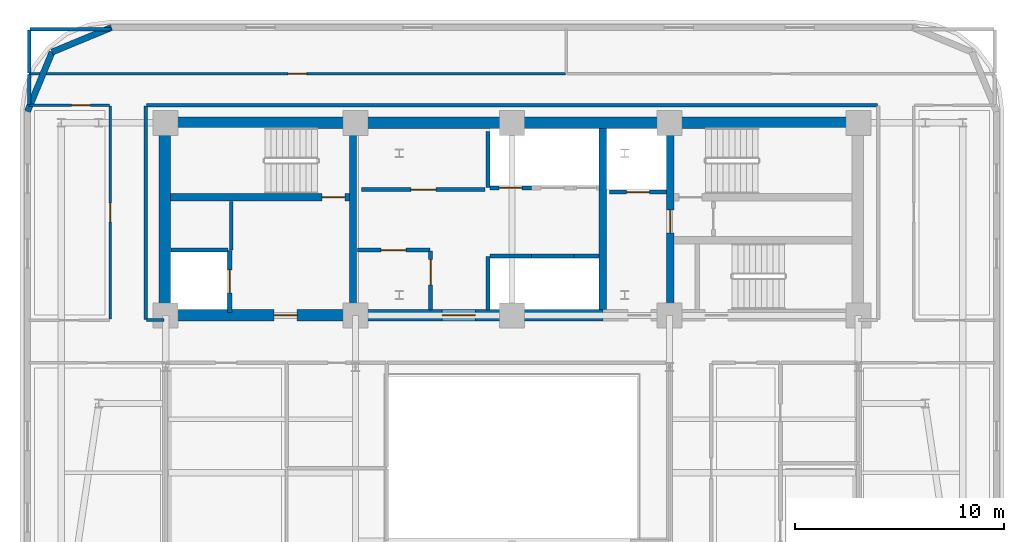
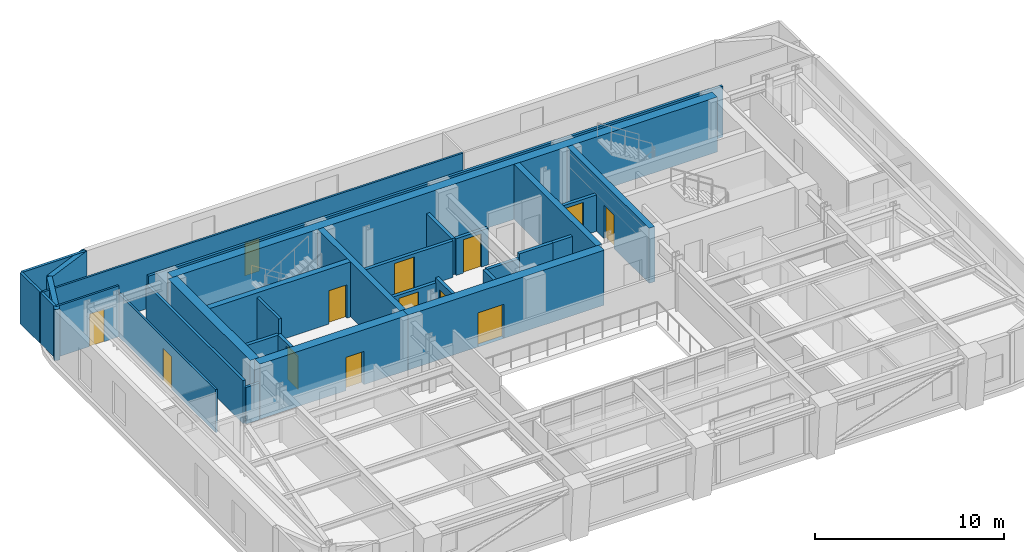
# One storey, part 7 of 13: 32 walls, 13 doors, 13 openings.
"""IFC4 building model written with IfcOpenShell, lengths in metres."""

from ifc_helpers import new_model, si_unit, direction, frame, frame_2d, origin, place, context, subcontext, project, spatial, rectangle, extrude, material, layer, layer_set, type_object, element, fill, save


model = new_model("IFC4")

# Units and contexts
model_context = context("Model", 3, precision=1e-05, world=origin(), true_north=direction((0.0, 1.0)))
body_context = subcontext(model_context, "Body", "Model", "MODEL_VIEW")
ifc_project = project(units=[si_unit("LENGTHUNIT", "METRE"), si_unit("AREAUNIT", "SQUARE_METRE"), si_unit("VOLUMEUNIT", "CUBIC_METRE"), si_unit("PLANEANGLEUNIT", "RADIAN"), si_unit("MASSUNIT", "GRAM", prefix="KILO")], contexts=[model_context])

# Site, building, storey
site_placement = place(None, origin())
site = spatial("IfcSite", under=ifc_project, at=site_placement, CompositionType="ELEMENT")
building_placement = place(site_placement, origin())
building = spatial("IfcBuilding", under=site, at=building_placement, Name="Zarnavel Station Tower", CompositionType="ELEMENT")
storey_placement = place(building_placement, frame((0.0, 0.0, 176.75)))
storey = spatial("IfcBuildingStorey", under=building, at=storey_placement, Name="L48", CompositionType="ELEMENT", Elevation=176.75)

# Walls
ifc_material_1 = material(Name="Concrete C50/60", Category="concrete")
ifc_layer_1 = layer(ifc_material_1, 0.35009765625)
ifc_layer_set_1 = layer_set([ifc_layer_1], Name="CW_350")
wall_type_1 = type_object("IfcWallType", Name="CW_350", PredefinedType="SHEAR", material=ifc_layer_set_1)
for number, where, z_axis, x_axis, name in (
    (1, (21.179931640625, 28.094970703125, 0.0), (0.0, 0.0, 1.0), (0.0, 1.0, 0.0), "L48 Rear Core Shear Wall DIV-W"),
    (2, (33.14990234375, 28.094970703125, 0.0), (0.0, 0.0, 1.0), (0.0, 1.0, 0.0), "L48 Rear Core Shear Wall DIV-E"),
):
    element("IfcWall", number, at=place(storey_placement, frame(where, z_axis=z_axis, x_axis=x_axis)), inside=storey, type_object=wall_type_1, Name=name, PredefinedType="SHEAR", context=body_context, shape_type="SweptSolid", body=[
        extrude(rectangle(XDim=8.679931640625, YDim=0.35009765625, at=frame_2d((4.33984375, 0.0))), origin(), (0.0, 0.0, 1.0), 3.550048828125),
    ])

# Wall, opening, door
wall_1_placement = place(storey_placement, frame((36.3798828125, 28.094970703125, 0.0), z_axis=(0.0, 0.0, 1.0), x_axis=(0.0, 1.0, 0.0)))
wall_1 = element("IfcWall", 3, at=wall_1_placement, inside=storey, type_object=wall_type_1, Name="L48 Rear Core Shear Wall DIV-S2", PredefinedType="SHEAR", context=body_context, shape_type="SweptSolid", body=[
    extrude(rectangle(XDim=8.679931640625, YDim=0.35009765625, at=frame_2d((4.33984375, 0.0))), origin(), (0.0, 0.0, 1.0), 3.550048828125),
])
opening_1_placement = place(wall_1_placement, frame((3.68505859375, 0.0, 0.0)))
opening_1 = element("IfcOpeningElement", 4, at=opening_1_placement, cuts=wall_1, Name="Opening FD01", PredefinedType="OPENING", context=body_context, shape_type="SweptSolid", body=[
    extrude(rectangle(XDim=1.10009765625, YDim=2.14990234375, at=frame_2d((0.550048828125, 1.074951171875))), frame((0.0, 0.18505859375, 0.0), z_axis=(0.0, -1.0, 0.0), x_axis=(1.0, 0.0, 0.0)), (0.0, 0.0, 1.0), 0.3701171875),
])
ifc_material_2 = material(Name="Painted Galvanised Steel and Hardwood Leaf", Category="steel")
door_type_1 = type_object("IfcDoorType", Name="ID_STAIR_1100", OperationType="NOTDEFINED", PredefinedType="DOOR", material=ifc_material_2)
door_1_placement = place(opening_1_placement, origin())
door_1 = element("IfcDoor", 5, at=door_1_placement, inside=storey, type_object=door_type_1, Name="L48 East Stair Vestibule Fire Door", OperationType="SINGLE_SWING_LEFT", OverallHeight=2.14990234375, OverallWidth=1.10009765625, PredefinedType="DOOR", context=body_context, shape_type="SweptSolid", body=[
    extrude(rectangle(XDim=1.10009765625, YDim=2.14990234375, at=frame_2d((0.550048828125, 1.074951171875))), frame((0.0, 0.02490234375, 0.0), z_axis=(0.0, -1.0, 0.0), x_axis=(1.0, 0.0, 0.0)), (0.0, 0.0, 1.0), 0.050048828125),
])
fill(opening_1, door_1)

wall_2_placement = place(storey_placement, frame((21.0048828125, 33.47998046875, 0.0), z_axis=(0.0, 0.0, 1.0), x_axis=(-1.0, 0.0, 0.0)))
wall_2 = element("IfcWall", 6, at=wall_2_placement, inside=storey, type_object=wall_type_1, Name="L48 Rear Core Shear Wall DIV-H1", PredefinedType="SHEAR", context=body_context, shape_type="SweptSolid", body=[
    extrude(rectangle(XDim=8.579833984375, YDim=0.35009765625, at=frame_2d((4.2900390625, 0.0))), origin(), (0.0, 0.0, 1.0), 3.550048828125),
])
opening_2_placement = place(wall_2_placement, frame((0.219970703125, 0.0, 0.0)))
opening_2 = element("IfcOpeningElement", 7, at=opening_2_placement, cuts=wall_2, Name="Opening FD01", PredefinedType="OPENING", context=body_context, shape_type="SweptSolid", body=[
    extrude(rectangle(XDim=1.10009765625, YDim=2.14990234375, at=frame_2d((0.550048828125, 1.074951171875))), frame((0.0, 0.18505859375, 0.0), z_axis=(0.0, -1.0, 0.0), x_axis=(1.0, 0.0, 0.0)), (0.0, 0.0, 1.0), 0.3701171875),
])
door_2_placement = place(opening_2_placement, origin())
door_2 = element("IfcDoor", 8, at=door_2_placement, inside=storey, type_object=door_type_1, Name="L48 Stair ST1 Lobby Fire Door", OperationType="SINGLE_SWING_LEFT", OverallHeight=2.14990234375, OverallWidth=1.10009765625, PredefinedType="DOOR", context=body_context, shape_type="SweptSolid", body=[
    extrude(rectangle(XDim=1.10009765625, YDim=2.14990234375, at=frame_2d((0.550048828125, 1.074951171875))), frame((0.0, 0.02490234375, 0.0), z_axis=(0.0, -1.0, 0.0), x_axis=(1.0, 0.0, 0.0)), (0.0, 0.0, 1.0), 0.050048828125),
])
fill(opening_2, door_2)

# Wall
ifc_material_3 = material(Name="Concrete C50/60", Category="concrete")
ifc_layer_2 = layer(ifc_material_3, 0.550048828125)
ifc_layer_set_2 = layer_set([ifc_layer_2], Name="CW_550")
wall_type_2 = type_object("IfcWallType", Name="CW_550", PredefinedType="SHEAR", material=ifc_layer_set_2)
wall_3_placement = place(storey_placement, frame((12.14990234375, 37.050048828125, 0.0), z_axis=(0.0, 0.0, 1.0), x_axis=(1.0, 0.0, 0.0)))
element("IfcWall", 9, at=wall_3_placement, inside=storey, type_object=wall_type_2, Name="L48 Rear Core Shear Wall N", PredefinedType="SHEAR", context=body_context, shape_type="SweptSolid", body=[
    extrude(rectangle(XDim=33.22998046875, YDim=0.550048828125, at=frame_2d((16.614990234375, 0.0))), origin(), (0.0, 0.0, 1.0), 3.550048828125),
])

# Wall, opening, door
wall_4_placement = place(storey_placement, frame((21.179931640625, 27.820068359375, 0.0), z_axis=(0.0, 0.0, 1.0), x_axis=(-1.0, 0.0, 0.0)))
wall_4 = element("IfcWall", 10, at=wall_4_placement, inside=storey, type_object=wall_type_2, Name="L48 Rear Core Shear Wall S-W", PredefinedType="SHEAR", context=body_context, shape_type="SweptSolid", body=[
    extrude(rectangle(XDim=9.030029296875, YDim=0.550048828125, at=frame_2d((4.51513671875, 0.0))), origin(), (0.0, 0.0, 1.0), 3.550048828125),
])
opening_3_placement = place(wall_4_placement, frame((2.679931640625, 0.0, 0.0)))
opening_3 = element("IfcOpeningElement", 11, at=opening_3_placement, cuts=wall_4, Name="Opening FD01", PredefinedType="OPENING", context=body_context, shape_type="SweptSolid", body=[
    extrude(rectangle(XDim=1.10009765625, YDim=2.14990234375, at=frame_2d((0.550048828125, 1.074951171875))), frame((0.0, 0.284912109375, 0.0), z_axis=(0.0, -1.0, 0.0), x_axis=(1.0, 0.0, 0.0)), (0.0, 0.0, 1.0), 0.570068359375),
])
door_3_placement = place(opening_3_placement, origin())
door_3 = element("IfcDoor", 12, at=door_3_placement, inside=storey, type_object=door_type_1, Name="L48 West Firefighting Lobby Door", OperationType="SINGLE_SWING_RIGHT", OverallHeight=2.14990234375, OverallWidth=1.10009765625, PredefinedType="DOOR", context=body_context, shape_type="SweptSolid", body=[
    extrude(rectangle(XDim=1.10009765625, YDim=2.14990234375, at=frame_2d((0.550048828125, 1.074951171875))), frame((0.0, 0.02490234375, 0.0), z_axis=(0.0, -1.0, 0.0), x_axis=(1.0, 0.0, 0.0)), (0.0, 0.0, 1.0), 0.050048828125),
])
fill(opening_3, door_3)

wall_5_placement = place(storey_placement, frame((33.14990234375, 27.820068359375, 0.0), z_axis=(0.0, 0.0, 1.0), x_axis=(-1.0, 0.0, 0.0)))
wall_5 = element("IfcWall", 13, at=wall_5_placement, inside=storey, type_object=wall_type_2, Name="L48 Rear Core Shear Wall S-M", PredefinedType="SHEAR", context=body_context, shape_type="SweptSolid", body=[
    extrude(rectangle(XDim=11.969970703125, YDim=0.550048828125, at=frame_2d((5.98486328125, 0.0))), origin(), (0.0, 0.0, 1.0), 3.550048828125),
])
opening_4_placement = place(wall_5_placement, frame((6.10009765625, 0.0, 0.0)))
opening_4 = element("IfcOpeningElement", 14, at=opening_4_placement, cuts=wall_5, Name="Opening ID03", PredefinedType="OPENING", context=body_context, shape_type="SweptSolid", body=[
    extrude(rectangle(XDim=1.60009765625, YDim=2.199951171875, at=frame_2d((0.800048828125, 1.10009765625))), frame((0.0, 0.284912109375, 0.0), z_axis=(0.0, -1.0, 0.0), x_axis=(1.0, 0.0, 0.0)), (0.0, 0.0, 1.0), 0.570068359375),
])
ifc_material_4 = material(Name="Painted Galvanised Steel and Hardwood Leaf", Category="steel")
door_type_2 = type_object("IfcDoorType", Name="ID_PUBLIC_1600", OperationType="DOUBLE_DOOR_SINGLE_SWING", PredefinedType="DOOR", material=ifc_material_4)
door_4_placement = place(opening_4_placement, origin())
door_4 = element("IfcDoor", 15, at=door_4_placement, inside=storey, type_object=door_type_2, Name="L48 Passenger Lift Lobby Double Door", OperationType="SINGLE_SWING_LEFT", OverallHeight=2.199951171875, OverallWidth=1.60009765625, PredefinedType="DOOR", context=body_context, shape_type="SweptSolid", body=[
    extrude(rectangle(XDim=1.60009765625, YDim=2.199951171875, at=frame_2d((0.800048828125, 1.10009765625))), frame((0.0, 0.02490234375, 0.0), z_axis=(0.0, -1.0, 0.0), x_axis=(1.0, 0.0, 0.0)), (0.0, 0.0, 1.0), 0.050048828125),
])
fill(opening_4, door_4)

# Walls
wall_6_placement = place(storey_placement, frame((12.14990234375, 28.094970703125, 0.0), z_axis=(0.0, 0.0, 1.0), x_axis=(0.0, 1.0, 0.0)))
element("IfcWall", 16, at=wall_6_placement, inside=storey, type_object=wall_type_2, Name="L48 Rear Core Shear Wall W", PredefinedType="SHEAR", context=body_context, shape_type="SweptSolid", body=[
    extrude(rectangle(XDim=8.679931640625, YDim=0.550048828125, at=frame_2d((4.33984375, 0.0))), origin(), (0.0, 0.0, 1.0), 3.550048828125),
])
ifc_material_5 = material(Name="Precast concrete C45/55 (Dark Basalt Finish)", Category="masonry")
ifc_layer_3 = layer(ifc_material_5, 0.300048828125)
ifc_layer_set_3 = layer_set([ifc_layer_3], Name="EW_BASALT_300")
wall_type_3 = type_object("IfcWallType", Name="EW_BASALT_300", PredefinedType="SOLIDWALL", material=ifc_layer_set_3)
wall_7_placement = place(storey_placement, frame((6.75732421875, 40.442626953125, 0.0), z_axis=(0.0, 0.0, 1.0), x_axis=(0.923882414032, 0.382676475685, 0.0)))
element("IfcWall", 17, at=wall_7_placement, inside=storey, type_object=wall_type_3, Name="L48 Exterior Basalt Masonry Frame Wall 07", PredefinedType="SOLIDWALL", context=body_context, shape_type="SweptSolid", body=[
    extrude(rectangle(XDim=3.076904296875, YDim=0.300048828125, at=frame_2d((1.53857421875, 0.0))), origin(), (0.0, 0.0, 1.0), 3.2900390625),
])
wall_8_placement = place(storey_placement, frame((5.580078125, 37.60009765625, 0.0), z_axis=(0.0, 0.0, 1.0), x_axis=(0.382636798336, 0.92389884758, 0.0)))
element("IfcWall", 18, at=wall_8_placement, inside=storey, type_object=wall_type_3, Name="L48 Exterior Basalt Masonry Frame Wall 08", PredefinedType="SOLIDWALL", context=body_context, shape_type="SweptSolid", body=[
    extrude(rectangle(XDim=3.07666015625, YDim=0.300048828125, at=frame_2d((1.538330078125, 0.0))), origin(), (0.0, 0.0, 1.0), 3.2900390625),
])
ifc_material_6 = material(Name="Gypsum Twin-Stud Acoustic Fire Partition", Category="concrete")
ifc_layer_4 = layer(ifc_material_6, 0.159912109375)
ifc_layer_set_4 = layer_set([ifc_layer_4], Name="PT_DEMISE_160")
wall_type_4 = type_object("IfcWallType", Name="PT_DEMISE_160", PredefinedType="PARTITIONING", material=ifc_layer_set_4)
wall_9_placement = place(storey_placement, frame((15.35009765625, 30.9599609375, 0.0), z_axis=(0.0, 0.0, 1.0), x_axis=(0.0, 1.0, 0.0)))
element("IfcWall", 19, at=wall_9_placement, inside=storey, type_object=wall_type_4, Name="L48 Enclosure Wall FFL1", PredefinedType="PARTITIONING", context=body_context, shape_type="SweptSolid", body=[
    extrude(rectangle(XDim=2.31005859375, YDim=0.159912109375, at=frame_2d((1.155029296875, 0.0))), origin(), (0.0, 0.0, 1.0), 3.2900390625),
])
wall_10_placement = place(storey_placement, frame((11.280029296875, 27.60009765625, 0.0), z_axis=(0.0, 0.0, 1.0), x_axis=(1.0, 0.0, 0.0)))
element("IfcWall", 20, at=wall_10_placement, inside=storey, type_object=wall_type_4, Name="L48 Enclosure Wall COR-S", PredefinedType="PARTITIONING", context=body_context, shape_type="SweptSolid", body=[
    extrude(rectangle(XDim=0.840087890625, YDim=0.159912109375, at=frame_2d((0.419921875, 0.0))), origin(), (0.0, 0.0, 1.0), 2.360107421875),
])
wall_11_placement = place(storey_placement, frame((11.25, 27.6298828125, 0.0), z_axis=(0.0, 0.0, 1.0), x_axis=(0.0, 1.0, 0.0)))
element("IfcWall", 21, at=wall_11_placement, inside=storey, type_object=wall_type_4, Name="L48 Enclosure Wall COR-W", PredefinedType="PARTITIONING", context=body_context, shape_type="SweptSolid", body=[
    extrude(rectangle(XDim=10.240234375, YDim=0.159912109375, at=frame_2d((5.1201171875, 0.0))), origin(), (0.0, 0.0, 1.0), 2.77001953125),
])
wall_12_placement = place(storey_placement, frame((11.280029296875, 37.89990234375, 0.0), z_axis=(0.0, 0.0, 1.0), x_axis=(1.0, 0.0, 0.0)))
element("IfcWall", 22, at=wall_12_placement, inside=storey, type_object=wall_type_4, Name="L48 Enclosure Wall COR-N", PredefinedType="PARTITIONING", context=body_context, shape_type="SweptSolid", body=[
    extrude(rectangle(XDim=35.0400390625, YDim=0.159912109375, at=frame_2d((17.52001953125, 0.0))), origin(), (0.0, 0.0, 1.0), 3.2900390625),
])
wall_13_placement = place(storey_placement, frame((5.659912109375, 37.929931640625, 0.0), z_axis=(0.0, 0.0, 1.0), x_axis=(0.0, 1.0, 0.0)))
element("IfcWall", 23, at=wall_13_placement, inside=storey, type_object=wall_type_4, Name="L48 Enclosure Wall COR-N", PredefinedType="PARTITIONING", context=body_context, shape_type="SweptSolid", body=[
    extrude(rectangle(XDim=1.440185546875, YDim=0.159912109375, at=frame_2d((0.72021484375, 0.0))), origin(), (0.0, 0.0, 1.0), 3.2900390625),
])
wall_14_placement = place(storey_placement, frame((5.68994140625, 41.5400390625, 0.0), z_axis=(0.0, 0.0, 1.0), x_axis=(1.0, 0.0, 0.0)))
element("IfcWall", 24, at=wall_14_placement, inside=storey, type_object=wall_type_4, Name="L48 Enclosure Wall NGYM", PredefinedType="PARTITIONING", context=body_context, shape_type="SweptSolid", body=[
    extrude(rectangle(XDim=3.880126953125, YDim=0.159912109375, at=frame_2d((1.93994140625, 0.0))), origin(), (0.0, 0.0, 1.0), 3.2900390625),
])
wall_15_placement = place(storey_placement, frame((5.659912109375, 39.429931640625, 0.0), z_axis=(0.0, 0.0, 1.0), x_axis=(0.0, 1.0, 0.0)))
element("IfcWall", 25, at=wall_15_placement, inside=storey, type_object=wall_type_4, Name="L48 Enclosure Wall NGYM", PredefinedType="PARTITIONING", context=body_context, shape_type="SweptSolid", body=[
    extrude(rectangle(XDim=2.080078125, YDim=0.159912109375, at=frame_2d((1.0400390625, 0.0))), origin(), (0.0, 0.0, 1.0), 3.2900390625),
])

# Wall, opening, door
ifc_material_7 = material(Name="Gypsum Metal-Stud Interior Partition", Category="concrete")
ifc_layer_5 = layer(ifc_material_7, 0.1201171875)
ifc_layer_set_5 = layer_set([ifc_layer_5], Name="PT_ROOM_120")
wall_type_5 = type_object("IfcWallType", Name="PT_ROOM_120", PredefinedType="PARTITIONING", material=ifc_layer_set_5)
wall_16_placement = place(storey_placement, frame((9.550048828125, 27.639892578125, 0.0), z_axis=(0.0, 0.0, 1.0), x_axis=(0.0, 1.0, 0.0)))
wall_16 = element("IfcWall", 26, at=wall_16_placement, inside=storey, type_object=wall_type_5, Name="L48 Partition COR-W-FNW", PredefinedType="PARTITIONING", context=body_context, shape_type="SweptSolid", body=[
    extrude(rectangle(XDim=10.22021484375, YDim=0.1201171875, at=frame_2d((5.110107421875, 0.0))), origin(), (0.0, 0.0, 1.0), 2.77001953125),
])
opening_5_placement = place(wall_16_placement, frame((4.659912109375, 0.0, 0.0)))
opening_5 = element("IfcOpeningElement", 27, at=opening_5_placement, cuts=wall_16, Name="Opening ID01", PredefinedType="OPENING", context=body_context, shape_type="SweptSolid", body=[
    extrude(rectangle(XDim=0.89990234375, YDim=2.10009765625, at=frame_2d((0.449951171875, 1.050048828125))), frame((0.0, 0.070068359375, 0.0), z_axis=(0.0, -1.0, 0.0), x_axis=(1.0, 0.0, 0.0)), (0.0, 0.0, 1.0), 0.14013671875),
])
ifc_material_8 = material(Name="Painted Galvanised Steel and Hardwood Leaf", Category="steel")
door_type_3 = type_object("IfcDoorType", Name="ID_ROOM_900", OperationType="NOTDEFINED", PredefinedType="DOOR", material=ifc_material_8)
door_5_placement = place(opening_5_placement, origin())
door_5 = element("IfcDoor", 28, at=door_5_placement, inside=storey, type_object=door_type_3, Name="L48 Door COR-W-FNW", OperationType="SINGLE_SWING_LEFT", OverallHeight=2.10009765625, OverallWidth=0.89990234375, PredefinedType="DOOR", context=body_context, shape_type="SweptSolid", body=[
    extrude(rectangle(XDim=0.89990234375, YDim=2.10009765625, at=frame_2d((0.449951171875, 1.050048828125))), frame((0.0, 0.02490234375, 0.0), z_axis=(0.0, -1.0, 0.0), x_axis=(1.0, 0.0, 0.0)), (0.0, 0.0, 1.0), 0.050048828125),
])
fill(opening_5, door_5)

wall_17_placement = place(storey_placement, frame((5.659912109375, 37.89990234375, 0.0), z_axis=(0.0, 0.0, 1.0), x_axis=(1.0, 0.0, 0.0)))
wall_17 = element("IfcWall", 29, at=wall_17_placement, inside=storey, type_object=wall_type_5, Name="L48 Partition COR-N-FNW", PredefinedType="PARTITIONING", context=body_context, shape_type="SweptSolid", body=[
    extrude(rectangle(XDim=3.85009765625, YDim=0.1201171875, at=frame_2d((1.925048828125, 0.0))), origin(), (0.0, 0.0, 1.0), 3.2900390625),
])
opening_6_placement = place(wall_17_placement, frame((2.03125, 0.0, 0.0)))
opening_6 = element("IfcOpeningElement", 30, at=opening_6_placement, cuts=wall_17, Name="Opening ID01", PredefinedType="OPENING", context=body_context, shape_type="SweptSolid", body=[
    extrude(rectangle(XDim=0.89990234375, YDim=2.10009765625, at=frame_2d((0.449951171875, 1.050048828125))), frame((0.0, 0.070068359375, 0.0), z_axis=(0.0, -1.0, 0.0), x_axis=(1.0, 0.0, 0.0)), (0.0, 0.0, 1.0), 0.14013671875),
])
door_6_placement = place(opening_6_placement, origin())
door_6 = element("IfcDoor", 31, at=door_6_placement, inside=storey, type_object=door_type_3, Name="L48 Door COR-N-FNW", OperationType="SINGLE_SWING_LEFT", OverallHeight=2.10009765625, OverallWidth=0.89990234375, PredefinedType="DOOR", context=body_context, shape_type="SweptSolid", body=[
    extrude(rectangle(XDim=0.89990234375, YDim=2.10009765625, at=frame_2d((0.449951171875, 1.050048828125))), frame((0.0, 0.02490234375, 0.0), z_axis=(0.0, -1.0, 0.0), x_axis=(1.0, 0.0, 0.0)), (0.0, 0.0, 1.0), 0.050048828125),
])
fill(opening_6, door_6)

wall_18_placement = place(storey_placement, frame((5.659912109375, 39.39990234375, 0.0), z_axis=(0.0, 0.0, 1.0), x_axis=(1.0, 0.0, 0.0)))
wall_18 = element("IfcWall", 32, at=wall_18_placement, inside=storey, type_object=wall_type_5, Name="L48 Partition COR-N-NGYM", PredefinedType="PARTITIONING", context=body_context, shape_type="SweptSolid", body=[
    extrude(rectangle(XDim=25.7001953125, YDim=0.1201171875, at=frame_2d((12.85009765625, 0.0))), origin(), (0.0, 0.0, 1.0), 3.2900390625),
])
opening_7_placement = place(wall_18_placement, frame((12.39990234375, 0.0, 0.0)))
opening_7 = element("IfcOpeningElement", 33, at=opening_7_placement, cuts=wall_18, Name="Opening ID01", PredefinedType="OPENING", context=body_context, shape_type="SweptSolid", body=[
    extrude(rectangle(XDim=0.89990234375, YDim=2.10009765625, at=frame_2d((0.449951171875, 1.050048828125))), frame((0.0, 0.070068359375, 0.0), z_axis=(0.0, -1.0, 0.0), x_axis=(1.0, 0.0, 0.0)), (0.0, 0.0, 1.0), 0.14013671875),
])
door_7_placement = place(opening_7_placement, origin())
door_7 = element("IfcDoor", 34, at=door_7_placement, inside=storey, type_object=door_type_3, Name="L48 Door COR-N-NGYM", OperationType="SINGLE_SWING_LEFT", OverallHeight=2.10009765625, OverallWidth=0.89990234375, PredefinedType="DOOR", context=body_context, shape_type="SweptSolid", body=[
    extrude(rectangle(XDim=0.89990234375, YDim=2.10009765625, at=frame_2d((0.449951171875, 1.050048828125))), frame((0.0, 0.02490234375, 0.0), z_axis=(0.0, -1.0, 0.0), x_axis=(1.0, 0.0, 0.0)), (0.0, 0.0, 1.0), 0.050048828125),
])
fill(opening_7, door_7)

ifc_material_9 = material(Name="Precast concrete C45/55 (Fire Shaft Blockwork)", Category="masonry")
ifc_layer_6 = layer(ifc_material_9, 0.199951171875)
ifc_layer_set_6 = layer_set([ifc_layer_6], Name="PT_SHAFT_200")
wall_type_6 = type_object("IfcWallType", Name="PT_SHAFT_200", PredefinedType="PARTITIONING", material=ifc_layer_set_6)
wall_19_placement = place(storey_placement, frame((15.27001953125, 27.969970703125, 0.0), z_axis=(0.0, 0.0, 1.0), x_axis=(0.0, 1.0, 0.0)))
wall_19 = element("IfcWall", 35, at=wall_19_placement, inside=storey, type_object=wall_type_6, Name="L48 Lift FFL-01 Shaft Front Wall", PredefinedType="PARTITIONING", context=body_context, shape_type="SweptSolid", body=[
    extrude(rectangle(XDim=2.9599609375, YDim=0.199951171875, at=frame_2d((1.47998046875, 0.0))), origin(), (0.0, 0.0, 1.0), 2.360107421875),
])
opening_8_placement = place(wall_19_placement, frame((0.929931640625, 0.0, 0.0)))
opening_8 = element("IfcOpeningElement", 36, at=opening_8_placement, cuts=wall_19, Name="Opening LD01", PredefinedType="OPENING", context=body_context, shape_type="SweptSolid", body=[
    extrude(rectangle(XDim=1.10009765625, YDim=2.14990234375, at=frame_2d((0.550048828125, 1.074951171875))), frame((0.0, 0.10986328125, 0.0), z_axis=(0.0, -1.0, 0.0), x_axis=(1.0, 0.0, 0.0)), (0.0, 0.0, 1.0), 0.219970703125),
])
ifc_material_10 = material(Name="Painted Galvanised Steel and Hardwood Leaf", Category="steel")
door_type_4 = type_object("IfcDoorType", Name="LD_FF_1100", OperationType="DOUBLE_DOOR_SLIDING", PredefinedType="DOOR", material=ifc_material_10)
door_8_placement = place(opening_8_placement, origin())
door_8 = element("IfcDoor", 37, at=door_8_placement, inside=storey, type_object=door_type_4, Name="L48 Lift FFL-01 Sliding Landing Door", OperationType="DOUBLE_DOOR_SLIDING", OverallHeight=2.14990234375, OverallWidth=1.10009765625, PredefinedType="DOOR", context=body_context, shape_type="SweptSolid", body=[
    extrude(rectangle(XDim=1.10009765625, YDim=2.14990234375, at=frame_2d((0.550048828125, 1.074951171875))), frame((0.0, 0.02490234375, 0.0), z_axis=(0.0, -1.0, 0.0), x_axis=(1.0, 0.0, 0.0)), (0.0, 0.0, 1.0), 0.050048828125),
])
fill(opening_8, door_8)

# Wall
wall_20_placement = place(storey_placement, frame((12.449951171875, 30.949951171875, 0.0), z_axis=(0.0, 0.0, 1.0), x_axis=(1.0, 0.0, 0.0)))
element("IfcWall", 38, at=wall_20_placement, inside=storey, type_object=wall_type_6, Name="L48 Lift FFL-01 North Shaft Wall", PredefinedType="PARTITIONING", context=body_context, shape_type="SweptSolid", body=[
    extrude(rectangle(XDim=2.75, YDim=0.199951171875, at=frame_2d((1.375, 0.0))), origin(), (0.0, 0.0, 1.0), 2.360107421875),
])

# Wall, opening, door
wall_21_placement = place(storey_placement, frame((33.47509765625, 33.72998046875, 0.0), z_axis=(0.0, 0.0, 1.0), x_axis=(1.0, 0.0, 0.0)))
wall_21 = element("IfcWall", 39, at=wall_21_placement, inside=storey, type_object=wall_type_6, Name="L48 Lift FFL-02 Shaft Front Wall", PredefinedType="PARTITIONING", context=body_context, shape_type="SweptSolid", body=[
    extrude(rectangle(XDim=2.724853515625, YDim=0.199951171875, at=frame_2d((1.3623046875, 0.0))), origin(), (0.0, 0.0, 1.0), 2.360107421875),
])
opening_9_placement = place(wall_21_placement, frame((0.8125, 0.0, 0.0)))
opening_9 = element("IfcOpeningElement", 40, at=opening_9_placement, cuts=wall_21, Name="Opening LD01", PredefinedType="OPENING", context=body_context, shape_type="SweptSolid", body=[
    extrude(rectangle(XDim=1.10009765625, YDim=2.14990234375, at=frame_2d((0.550048828125, 1.074951171875))), frame((0.0, 0.10986328125, 0.0), z_axis=(0.0, -1.0, 0.0), x_axis=(1.0, 0.0, 0.0)), (0.0, 0.0, 1.0), 0.219970703125),
])
door_9_placement = place(opening_9_placement, origin())
door_9 = element("IfcDoor", 41, at=door_9_placement, inside=storey, type_object=door_type_4, Name="L48 Lift FFL-02 Sliding Landing Door", OperationType="DOUBLE_DOOR_SLIDING", OverallHeight=2.14990234375, OverallWidth=1.10009765625, PredefinedType="DOOR", context=body_context, shape_type="SweptSolid", body=[
    extrude(rectangle(XDim=1.10009765625, YDim=2.14990234375, at=frame_2d((0.550048828125, 1.074951171875))), frame((0.0, 0.02490234375, 0.0), z_axis=(0.0, -1.0, 0.0), x_axis=(1.0, 0.0, 0.0)), (0.0, 0.0, 1.0), 0.050048828125),
])
fill(opening_9, door_9)

# Walls
wall_22_placement = place(storey_placement, frame((27.75, 30.669921875, 0.0), z_axis=(0.0, 0.0, 1.0), x_axis=(1.0, 0.0, 0.0)))
element("IfcWall", 42, at=wall_22_placement, inside=storey, type_object=wall_type_6, Name="L48 Lift PL-H1 Shaft Front Wall", PredefinedType="PARTITIONING", context=body_context, shape_type="SweptSolid", body=[
    extrude(rectangle(XDim=1.97509765625, YDim=0.199951171875, at=frame_2d((0.987548828125, 0.0))), origin(), (0.0, 0.0, 1.0), 2.360107421875),
])
wall_23_placement = place(storey_placement, frame((27.64990234375, 28.070068359375, 0.0), z_axis=(0.0, 0.0, 1.0), x_axis=(0.0, 1.0, 0.0)))
element("IfcWall", 43, at=wall_23_placement, inside=storey, type_object=wall_type_6, Name="L48 High-Rise Lift Bank West Shaft Wall", PredefinedType="PARTITIONING", context=body_context, shape_type="SweptSolid", body=[
    extrude(rectangle(XDim=2.579833984375, YDim=0.199951171875, at=frame_2d((1.2900390625, 0.0))), origin(), (0.0, 0.0, 1.0), 2.360107421875),
])
wall_24_placement = place(storey_placement, frame((29.72509765625, 30.669921875, 0.0), z_axis=(0.0, 0.0, 1.0), x_axis=(1.0, 0.0, 0.0)))
element("IfcWall", 44, at=wall_24_placement, inside=storey, type_object=wall_type_6, Name="L48 Lift PL-H2 Shaft Front Wall", PredefinedType="PARTITIONING", context=body_context, shape_type="SweptSolid", body=[
    extrude(rectangle(XDim=2.0498046875, YDim=0.199951171875, at=frame_2d((1.02490234375, 0.0))), origin(), (0.0, 0.0, 1.0), 2.669921875),
])
wall_25_placement = place(storey_placement, frame((31.77490234375, 30.669921875, 0.0), z_axis=(0.0, 0.0, 1.0), x_axis=(1.0, 0.0, 0.0)))
element("IfcWall", 45, at=wall_25_placement, inside=storey, type_object=wall_type_6, Name="L48 Lift PL-H3 Shaft Front Wall", PredefinedType="PARTITIONING", context=body_context, shape_type="SweptSolid", body=[
    extrude(rectangle(XDim=1.2001953125, YDim=0.199951171875, at=frame_2d((0.60009765625, 0.0))), origin(), (0.0, 0.0, 1.0), 2.669921875),
])

# Wall, opening, door
wall_26_placement = place(storey_placement, frame((27.75, 33.929931640625, 0.0), z_axis=(0.0, 0.0, 1.0), x_axis=(1.0, 0.0, 0.0)))
wall_26 = element("IfcWall", 46, at=wall_26_placement, inside=storey, type_object=wall_type_6, Name="L48 Lift PL-M1 Shaft Front Wall", PredefinedType="PARTITIONING", context=body_context, shape_type="SweptSolid", body=[
    extrude(rectangle(XDim=1.97509765625, YDim=0.199951171875, at=frame_2d((0.987548828125, 0.0))), origin(), (0.0, 0.0, 1.0), 2.360107421875),
])
opening_10_placement = place(wall_26_placement, frame((0.4375, 0.0, 0.0)))
opening_10 = element("IfcOpeningElement", 47, at=opening_10_placement, cuts=wall_26, Name="Opening LD02", PredefinedType="OPENING", context=body_context, shape_type="SweptSolid", body=[
    extrude(rectangle(XDim=1.10009765625, YDim=2.14990234375, at=frame_2d((0.550048828125, 1.074951171875))), frame((0.0, 0.10986328125, 0.0), z_axis=(0.0, -1.0, 0.0), x_axis=(1.0, 0.0, 0.0)), (0.0, 0.0, 1.0), 0.219970703125),
])
ifc_material_11 = material(Name="Painted Galvanised Steel and Hardwood Leaf", Category="steel")
door_type_5 = type_object("IfcDoorType", Name="LD_PAX_1100", OperationType="DOUBLE_DOOR_SLIDING", PredefinedType="DOOR", material=ifc_material_11)
door_10_placement = place(opening_10_placement, origin())
door_10 = element("IfcDoor", 48, at=door_10_placement, inside=storey, type_object=door_type_5, Name="L48 Lift PL-M1 Sliding Landing Door", OperationType="DOUBLE_DOOR_SLIDING", OverallHeight=2.14990234375, OverallWidth=1.10009765625, PredefinedType="DOOR", context=body_context, shape_type="SweptSolid", body=[
    extrude(rectangle(XDim=1.10009765625, YDim=2.14990234375, at=frame_2d((0.550048828125, 1.074951171875))), frame((0.0, 0.02490234375, 0.0), z_axis=(0.0, -1.0, 0.0), x_axis=(1.0, 0.0, 0.0)), (0.0, 0.0, 1.0), 0.050048828125),
])
fill(opening_10, door_10)

# Wall
wall_27_placement = place(storey_placement, frame((27.64990234375, 33.949951171875, 0.0), z_axis=(0.0, 0.0, 1.0), x_axis=(0.0, 1.0, 0.0)))
element("IfcWall", 49, at=wall_27_placement, inside=storey, type_object=wall_type_6, Name="L48 Mid-Rise Lift Bank West Shaft Wall", PredefinedType="PARTITIONING", context=body_context, shape_type="SweptSolid", body=[
    extrude(rectangle(XDim=2.679931640625, YDim=0.199951171875, at=frame_2d((1.33984375, 0.0))), origin(), (0.0, 0.0, 1.0), 2.360107421875),
])

# Wall, opening, door
wall_28_placement = place(storey_placement, frame((21.39990234375, 30.949951171875, 0.0), z_axis=(0.0, 0.0, 1.0), x_axis=(1.0, 0.0, 0.0)))
wall_28 = element("IfcWall", 50, at=wall_28_placement, inside=storey, type_object=wall_type_6, Name="L48 Partition LLOB-CS1", PredefinedType="PARTITIONING", context=body_context, shape_type="SweptSolid", body=[
    extrude(rectangle(XDim=3.460205078125, YDim=0.199951171875, at=frame_2d((1.72998046875, 0.0))), origin(), (0.0, 0.0, 1.0), 2.360107421875),
])
opening_11_placement = place(wall_28_placement, frame((1.1298828125, 0.0, 0.0)))
opening_11 = element("IfcOpeningElement", 51, at=opening_11_placement, cuts=wall_28, Name="Opening FD03", PredefinedType="OPENING", context=body_context, shape_type="SweptSolid", body=[
    extrude(rectangle(XDim=1.199951171875, YDim=2.14990234375, at=frame_2d((0.60009765625, 1.074951171875))), frame((0.0, 0.10986328125, 0.0), z_axis=(0.0, -1.0, 0.0), x_axis=(1.0, 0.0, 0.0)), (0.0, 0.0, 1.0), 0.219970703125),
])
ifc_material_12 = material(Name="Painted Galvanised Steel and Hardwood Leaf", Category="steel")
door_type_6 = type_object("IfcDoorType", Name="ID_PLANT_1200", OperationType="NOTDEFINED", PredefinedType="DOOR", material=ifc_material_12)
door_11_placement = place(opening_11_placement, origin())
door_11 = element("IfcDoor", 52, at=door_11_placement, inside=storey, type_object=door_type_6, Name="L48 Door LLOB-CS1", OperationType="SINGLE_SWING_LEFT", OverallHeight=2.14990234375, OverallWidth=1.199951171875, PredefinedType="DOOR", context=body_context, shape_type="SweptSolid", body=[
    extrude(rectangle(XDim=1.199951171875, YDim=2.14990234375, at=frame_2d((0.60009765625, 1.074951171875))), frame((0.0, 0.02490234375, 0.0), z_axis=(0.0, -1.0, 0.0), x_axis=(1.0, 0.0, 0.0)), (0.0, 0.0, 1.0), 0.050048828125),
])
fill(opening_11, door_11)

wall_29_placement = place(storey_placement, frame((21.590087890625, 33.85009765625, 0.0), z_axis=(0.0, 0.0, 1.0), x_axis=(1.0, 0.0, 0.0)))
wall_29 = element("IfcWall", 53, at=wall_29_placement, inside=storey, type_object=wall_type_6, Name="L48 Partition LLOB-FB1A", PredefinedType="PARTITIONING", context=body_context, shape_type="SweptSolid", body=[
    extrude(rectangle(XDim=5.919921875, YDim=0.199951171875, at=frame_2d((2.9599609375, 0.0))), origin(), (0.0, 0.0, 1.0), 2.360107421875),
])
opening_12_placement = place(wall_29_placement, frame((2.360107421875, 0.0, 0.0)))
opening_12 = element("IfcOpeningElement", 54, at=opening_12_placement, cuts=wall_29, Name="Opening FD03", PredefinedType="OPENING", context=body_context, shape_type="SweptSolid", body=[
    extrude(rectangle(XDim=1.199951171875, YDim=2.14990234375, at=frame_2d((0.60009765625, 1.074951171875))), frame((0.0, 0.10986328125, 0.0), z_axis=(0.0, -1.0, 0.0), x_axis=(1.0, 0.0, 0.0)), (0.0, 0.0, 1.0), 0.219970703125),
])
door_12_placement = place(opening_12_placement, origin())
door_12 = element("IfcDoor", 55, at=door_12_placement, inside=storey, type_object=door_type_6, Name="L48 Door LLOB-FB1A", OperationType="SINGLE_SWING_RIGHT", OverallHeight=2.14990234375, OverallWidth=1.199951171875, PredefinedType="DOOR", context=body_context, shape_type="SweptSolid", body=[
    extrude(rectangle(XDim=1.199951171875, YDim=2.14990234375, at=frame_2d((0.60009765625, 1.074951171875))), frame((0.0, 0.02490234375, 0.0), z_axis=(0.0, -1.0, 0.0), x_axis=(1.0, 0.0, 0.0)), (0.0, 0.0, 1.0), 0.050048828125),
])
fill(opening_12, door_12)

wall_30_placement = place(storey_placement, frame((24.89990234375, 30.909912109375, 0.0), z_axis=(0.0, 0.0, 1.0), x_axis=(0.0, -1.0, 0.0)))
wall_30 = element("IfcWall", 56, at=wall_30_placement, inside=storey, type_object=wall_type_6, Name="L48 Partition LLOBS-CS1", PredefinedType="PARTITIONING", context=body_context, shape_type="SweptSolid", body=[
    extrude(rectangle(XDim=2.81982421875, YDim=0.199951171875, at=frame_2d((1.409912109375, 0.0))), origin(), (0.0, 0.0, 1.0), 2.669921875),
])
opening_13_placement = place(wall_30_placement, frame((0.419189453125, 0.0, 0.0)))
opening_13 = element("IfcOpeningElement", 57, at=opening_13_placement, cuts=wall_30, Name="Opening FD03", PredefinedType="OPENING", context=body_context, shape_type="SweptSolid", body=[
    extrude(rectangle(XDim=1.199951171875, YDim=2.14990234375, at=frame_2d((0.60009765625, 1.074951171875))), frame((0.0, 0.10986328125, 0.0), z_axis=(0.0, -1.0, 0.0), x_axis=(1.0, 0.0, 0.0)), (0.0, 0.0, 1.0), 0.219970703125),
])
door_13_placement = place(opening_13_placement, origin())
door_13 = element("IfcDoor", 58, at=door_13_placement, inside=storey, type_object=door_type_6, Name="L48 Door LLOBS-CS1", OperationType="SINGLE_SWING_LEFT", OverallHeight=2.14990234375, OverallWidth=1.199951171875, PredefinedType="DOOR", context=body_context, shape_type="SweptSolid", body=[
    extrude(rectangle(XDim=1.199951171875, YDim=2.14990234375, at=frame_2d((0.60009765625, 1.074951171875))), frame((0.0, 0.02490234375, 0.0), z_axis=(0.0, -1.0, 0.0), x_axis=(1.0, 0.0, 0.0)), (0.0, 0.0, 1.0), 0.050048828125),
])
fill(opening_13, door_13)

save(model, "model.ifc")
